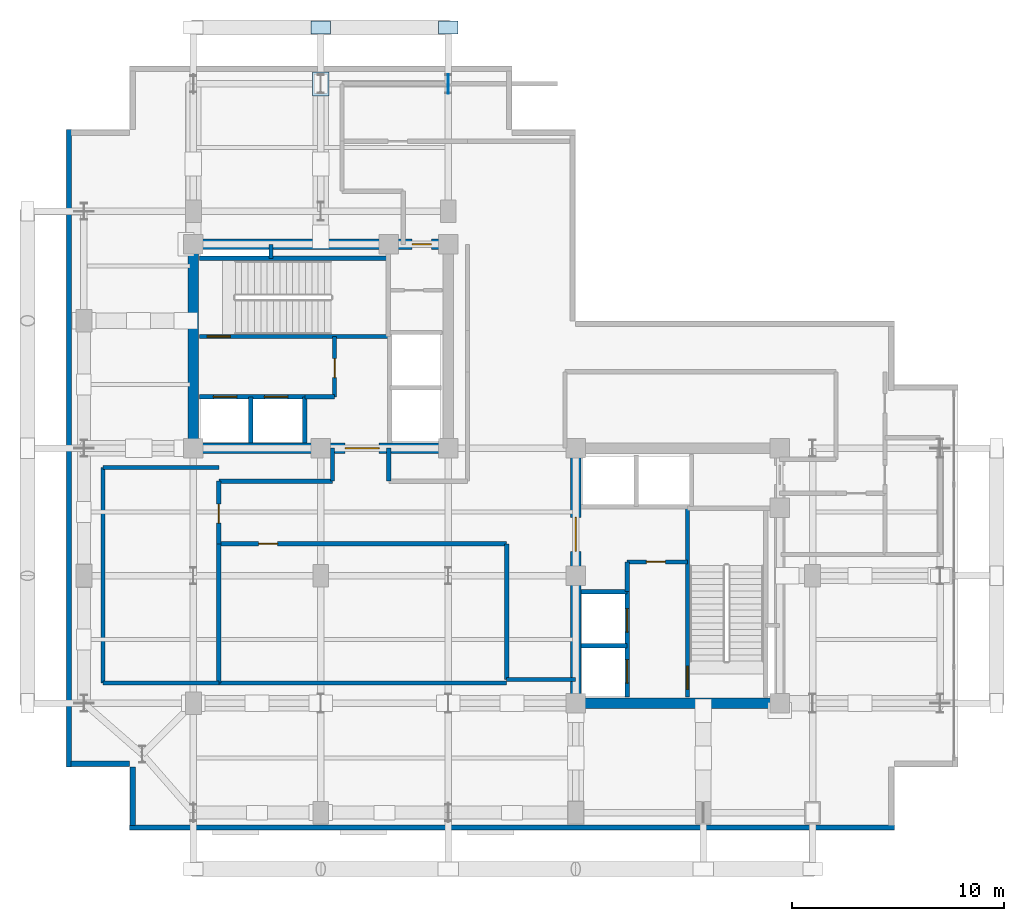
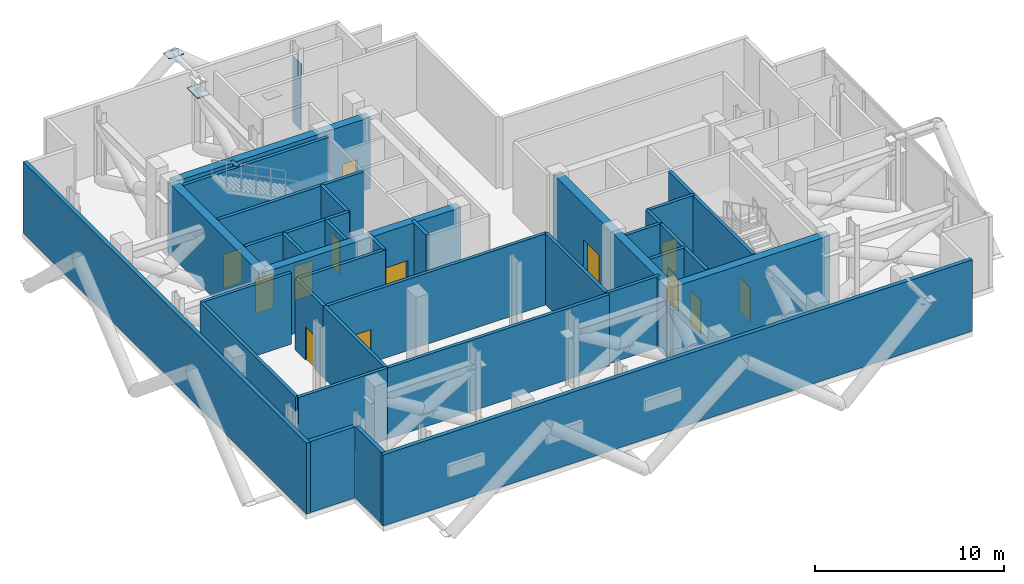
# One storey, part 5 of 8: 35 walls, 13 doors, 4 plates, 13 openings.
"""IFC4 building model written with IfcOpenShell, lengths in metres."""

from ifc_helpers import new_model, si_unit, direction, frame, frame_2d, origin, origin_2d, place, context, subcontext, project, spatial, rectangle, extrude, material, layer, layer_set, type_object, element, fill, save


model = new_model("IFC4")

# Units and contexts
model_context = context("Model", 3, precision=1e-05, world=origin(), true_north=direction((0.0, 1.0)))
body_context = subcontext(model_context, "Body", "Model", "MODEL_VIEW")
ifc_project = project(units=[si_unit("LENGTHUNIT", "METRE"), si_unit("AREAUNIT", "SQUARE_METRE"), si_unit("VOLUMEUNIT", "CUBIC_METRE"), si_unit("PLANEANGLEUNIT", "RADIAN"), si_unit("MASSUNIT", "GRAM", prefix="KILO"), si_unit("THERMODYNAMICTEMPERATUREUNIT", "KELVIN"), si_unit("POWERUNIT", "WATT")], contexts=[model_context])

# Site, building, storey
site_placement = place(None, origin())
site = spatial("IfcSite", under=ifc_project, at=site_placement, CompositionType="ELEMENT")
building_placement = place(site_placement, origin())
building = spatial("IfcBuilding", under=site, at=building_placement, Name="Svarakhadi Broadcast Tower", CompositionType="ELEMENT")
storey_placement = place(building_placement, frame((0.0, 0.0, 234.89990234375)))
storey = spatial("IfcBuildingStorey", under=building, at=storey_placement, Name="L58", CompositionType="ELEMENT", Elevation=234.89990234375)

# Plates
ifc_material_1 = material(Name="Steel S460ML (IS 2062 E450BR)", Category="steel")
ifc_layer_1 = layer(ifc_material_1, 0.02587890625)
ifc_layer_set_1 = layer_set([ifc_layer_1], Name="Steel S460ML (IS 2062 E450BR)")
plate_type_1 = type_object("IfcPlateType", Name="Node_Gusset_N07", PredefinedType="SHEET", material=ifc_layer_set_1)
plate_1_placement = place(storey_placement, frame((18.0, 37.800048828125, -0.324951171875), z_axis=(0.0, 0.0, 1.0), x_axis=(1.0, 0.0, 0.0)))
element("IfcPlate", 1, at=plate_1_placement, inside=storey, type_object=plate_type_1, Name="L58 Exoskeleton Gusset Node Plate N10", PredefinedType="SHEET", context=body_context, shape_type="SweptSolid", body=[
    extrude(rectangle(XDim=0.919921875, YDim=0.6201171875, at=origin_2d()), origin(), (0.0, 0.0, 1.0), 0.02587890625),
])
plate_2_placement = place(storey_placement, frame((18.0, 35.14990234375, -0.68701171875), z_axis=(0.0, 0.0, 1.0), x_axis=(0.0, 1.0, 0.0)))
element("IfcPlate", 2, at=plate_2_placement, inside=storey, type_object=plate_type_1, Name="L58 Brace End Connection Gusset Plate N-07-E0482", PredefinedType="SHEET", context=body_context, shape_type="SweptSolid", body=[
    extrude(rectangle(XDim=0.919921875, YDim=0.02587890625, at=origin_2d()), origin(), (0.0, 0.0, 1.0), 4.300048828125),
])
plate_3_placement = place(storey_placement, frame((12.0, 37.800048828125, 4.45068359375), z_axis=(0.0, 0.0, 1.0), x_axis=(1.0, 0.0, 0.0)))
element("IfcPlate", 3, at=plate_3_placement, inside=storey, type_object=plate_type_1, Name="L58 Brace End Connection Gusset Plate N-07-E0483", PredefinedType="SHEET", context=body_context, shape_type="SweptSolid", body=[
    extrude(rectangle(XDim=0.919921875, YDim=0.6201171875, at=origin_2d()), origin(), (0.0, 0.0, 1.0), 0.02587890625),
])
ifc_layer_2 = layer(ifc_material_1, 0.034912109375)
ifc_layer_set_2 = layer_set([ifc_layer_2], Name="Steel S460ML (IS 2062 E450BR)")
plate_type_2 = type_object("IfcPlateType", Name="Outrigger_Node_ON03", PredefinedType="SHEET", material=ifc_layer_set_2)
plate_4_placement = place(storey_placement, frame((12.0, 35.14990234375, 3.6328125), z_axis=(0.0, 0.0, 1.0), x_axis=(0.0, 1.0, 0.0)))
element("IfcPlate", 4, at=plate_4_placement, inside=storey, type_object=plate_type_2, Name="L58 Brace End Connection Gusset Plate ON-03-E0688", PredefinedType="SHEET", context=body_context, shape_type="SweptSolid", body=[
    extrude(rectangle(XDim=1.1201171875, YDim=0.760009765625, at=origin_2d()), origin(), (0.0, 0.0, 1.0), 0.034912109375),
])

# Walls
ifc_material_2 = material(Name="Concrete C40/50 (IS 456 M50)", Category="concrete")
ifc_layer_3 = layer(ifc_material_2, 0.239990234375)
ifc_layer_set_3 = layer_set([ifc_layer_3], Name="Concrete C40/50 (IS 456 M50)")
wall_type_1 = type_object("IfcWallType", Name="Wall_Ext_240", PredefinedType="SOLIDWALL", material=ifc_layer_set_3)
wall_1_placement = place(storey_placement, frame((39.0, 0.14990234375, 0.0), z_axis=(0.0, 0.0, 1.0), x_axis=(-1.0, 0.0, 0.0)))
element("IfcWall", 5, at=wall_1_placement, inside=storey, type_object=wall_type_1, Name="L58 South Mechanical Acoustic Louvred Plant Wall", PredefinedType="SOLIDWALL", context=body_context, shape_type="SweptSolid", body=[
    extrude(rectangle(XDim=36.0, YDim=0.239990234375, at=frame_2d((18.0, 0.0))), origin(), (0.0, 0.0, 1.0), 4.60009765625),
])
wall_2_placement = place(storey_placement, frame((0.14990234375, 3.0, 0.0), z_axis=(0.0, 0.0, 1.0), x_axis=(0.0, 1.0, 0.0)))
element("IfcWall", 6, at=wall_2_placement, inside=storey, type_object=wall_type_1, Name="L58 West Mechanical Acoustic Louvred Plant Wall", PredefinedType="SOLIDWALL", context=body_context, shape_type="SweptSolid", body=[
    extrude(rectangle(XDim=30.0, YDim=0.239990234375, at=frame_2d((15.0, 0.0))), origin(), (0.0, 0.0, 1.0), 4.60009765625),
])
for number, where, z_axis, x_axis, name in (
    (7, (3.0, 3.14990234375, 0.0), (0.0, 0.0, 1.0), (-1.0, 0.0, 0.0), "L58 Perimeter Bronze Spandrel Closure Wall 01"),
    (8, (3.14990234375, 0.2548828125, 0.0), (0.0, 0.0, 1.0), (0.0, 1.0, 0.0), "L58 Perimeter Bronze Spandrel Closure Wall 13"),
):
    element("IfcWall", number, at=place(storey_placement, frame(where, z_axis=z_axis, x_axis=x_axis)), inside=storey, type_object=wall_type_1, Name=name, PredefinedType="SOLIDWALL", context=body_context, shape_type="SweptSolid", body=[
        extrude(rectangle(XDim=2.7451171875, YDim=0.239990234375, at=frame_2d((1.37255859375, 0.0))), origin(), (0.0, 0.0, 1.0), 4.60009765625),
    ])
ifc_layer_4 = layer(ifc_material_2, 0.199951171875)
ifc_layer_set_4 = layer_set([ifc_layer_4], Name="Concrete C40/50 (IS 456 M50)")
wall_type_2 = type_object("IfcWallType", Name="Wall_Fire_200", PredefinedType="SOLIDWALL", material=ifc_layer_set_4)
wall_3_placement = place(storey_placement, frame((9.659912109375, 26.93994140625, 0.0), z_axis=(0.0, 0.0, 1.0), x_axis=(0.0, 1.0, 0.0)))
element("IfcWall", 9, at=wall_3_placement, inside=storey, type_object=wall_type_2, Name="L58 Wet Riser Shaft East Wall", PredefinedType="SOLIDWALL", context=body_context, shape_type="SweptSolid", body=[
    extrude(rectangle(XDim=0.64013671875, YDim=0.199951171875, at=frame_2d((0.320068359375, 0.0))), origin(), (0.0, 0.0, 1.0), 4.60009765625),
])

# Wall, opening, door
wall_4_placement = place(storey_placement, frame((20.75, 13.5, 0.0), z_axis=(0.0, 0.0, 1.0), x_axis=(-1.0, 0.0, 0.0)))
wall_4 = element("IfcWall", 10, at=wall_4_placement, inside=storey, type_object=wall_type_2, Name="L58 Plant Service Corridor Wall", PredefinedType="SOLIDWALL", context=body_context, shape_type="SweptSolid", body=[
    extrude(rectangle(XDim=13.550048828125, YDim=0.199951171875, at=frame_2d((6.77490234375, 0.0))), origin(), (0.0, 0.0, 1.0), 4.60009765625),
])
opening_1_placement = place(wall_4_placement, frame((10.77490234375, 0.0, 0.0)))
opening_1 = element("IfcOpeningElement", 11, at=opening_1_placement, cuts=wall_4, Name="Opening D-03", PredefinedType="OPENING", context=body_context, shape_type="SweptSolid", body=[
    extrude(rectangle(XDim=0.89990234375, YDim=2.14990234375, at=frame_2d((0.449951171875, 1.074951171875))), frame((0.0, 0.10986328125, 0.0), z_axis=(0.0, -1.0, 0.0), x_axis=(1.0, 0.0, 0.0)), (0.0, 0.0, 1.0), 0.219970703125),
])
ifc_material_3 = material(Name="Galvanised Powder-Coated Fire-Rated Steel Leaf", Category="steel")
door_type_1 = type_object("IfcDoorType", Name="Door_Fire_D03", OperationType="SINGLE_SWING_LEFT", PredefinedType="DOOR", material=ifc_material_3)
door_1_placement = place(opening_1_placement, origin())
door_1 = element("IfcDoor", 12, at=door_1_placement, inside=storey, type_object=door_type_1, Name="L58 Pressurised Fire Refuge Area West Door", OperationType="SINGLE_SWING_LEFT", OverallHeight=2.14990234375, OverallWidth=0.89990234375, PredefinedType="DOOR", context=body_context, shape_type="SweptSolid", body=[
    extrude(rectangle(XDim=0.89990234375, YDim=2.14990234375, at=frame_2d((0.449951171875, 1.074951171875))), frame((0.0, 0.02490234375, 0.0), z_axis=(0.0, -1.0, 0.0), x_axis=(1.0, 0.0, 0.0)), (0.0, 0.0, 1.0), 0.050048828125),
])
fill(opening_1, door_1)

wall_5_placement = place(storey_placement, frame((7.199951171875, 13.5, 0.0), z_axis=(0.0, 0.0, 1.0), x_axis=(0.0, 1.0, 0.0)))
wall_5 = element("IfcWall", 13, at=wall_5_placement, inside=storey, type_object=wall_type_2, Name="L58 Plant Service Corridor Wall", PredefinedType="SOLIDWALL", context=body_context, shape_type="SweptSolid", body=[
    extrude(rectangle(XDim=2.949951171875, YDim=0.199951171875, at=frame_2d((1.47509765625, 0.0))), origin(), (0.0, 0.0, 1.0), 4.60009765625),
])
opening_2_placement = place(wall_5_placement, frame((0.97509765625, 0.0, 0.0)))
opening_2 = element("IfcOpeningElement", 14, at=opening_2_placement, cuts=wall_5, Name="Opening D-04", PredefinedType="OPENING", context=body_context, shape_type="SweptSolid", body=[
    extrude(rectangle(XDim=0.89990234375, YDim=2.14990234375, at=frame_2d((0.449951171875, 1.074951171875))), frame((0.0, 0.10986328125, 0.0), z_axis=(0.0, -1.0, 0.0), x_axis=(1.0, 0.0, 0.0)), (0.0, 0.0, 1.0), 0.219970703125),
])
door_type_2 = type_object("IfcDoorType", Name="Door_Fire_D04", OperationType="SINGLE_SWING_RIGHT", PredefinedType="DOOR", material=ifc_material_3)
door_2_placement = place(opening_2_placement, origin())
door_2 = element("IfcDoor", 15, at=door_2_placement, inside=storey, type_object=door_type_2, Name="L58 Pressurised Fire Refuge Area South-West Door", OperationType="SINGLE_SWING_RIGHT", OverallHeight=2.14990234375, OverallWidth=0.89990234375, PredefinedType="DOOR", context=body_context, shape_type="SweptSolid", body=[
    extrude(rectangle(XDim=0.89990234375, YDim=2.14990234375, at=frame_2d((0.449951171875, 1.074951171875))), frame((0.0, 0.02490234375, 0.0), z_axis=(0.0, -1.0, 0.0), x_axis=(1.0, 0.0, 0.0)), (0.0, 0.0, 1.0), 0.050048828125),
])
fill(opening_2, door_2)

# Walls
wall_6_placement = place(storey_placement, frame((7.199951171875, 16.449951171875, 0.0), z_axis=(0.0, 0.0, 1.0), x_axis=(1.0, 0.0, 0.0)))
element("IfcWall", 16, at=wall_6_placement, inside=storey, type_object=wall_type_2, Name="L58 Plant Service Corridor Wall", PredefinedType="SOLIDWALL", context=body_context, shape_type="SweptSolid", body=[
    extrude(rectangle(XDim=5.35009765625, YDim=0.199951171875, at=frame_2d((2.675048828125, 0.0))), origin(), (0.0, 0.0, 1.0), 4.60009765625),
])
for number, where, z_axis, x_axis, name in (
    (17, (12.550048828125, 16.449951171875, 0.0), (0.0, 0.0, 1.0), (0.0, 1.0, 0.0), "L58 Plant Service Corridor Wall"),
    (18, (15.199951171875, 18.02001953125, 0.0), (0.0, 0.0, 1.0), (0.0, -1.0, 0.0), "L58 Plant Service Corridor Wall"),
):
    element("IfcWall", number, at=place(storey_placement, frame(where, z_axis=z_axis, x_axis=x_axis)), inside=storey, type_object=wall_type_2, Name=name, PredefinedType="SOLIDWALL", context=body_context, shape_type="SweptSolid", body=[
        extrude(rectangle(XDim=1.570068359375, YDim=0.199951171875, at=frame_2d((0.78515625, 0.0))), origin(), (0.0, 0.0, 1.0), 4.60009765625),
    ])
wall_7_placement = place(storey_placement, frame((23.97998046875, 7.1201171875, 0.0), z_axis=(0.0, 0.0, 1.0), x_axis=(-1.0, 0.0, 0.0)))
element("IfcWall", 19, at=wall_7_placement, inside=storey, type_object=wall_type_2, Name="L58 Plant Service Corridor Wall", PredefinedType="SOLIDWALL", context=body_context, shape_type="SweptSolid", body=[
    extrude(rectangle(XDim=3.22998046875, YDim=0.199951171875, at=frame_2d((1.614990234375, 0.0))), origin(), (0.0, 0.0, 1.0), 4.60009765625),
])
wall_8_placement = place(storey_placement, frame((20.75, 7.1201171875, 0.0), z_axis=(0.0, 0.0, 1.0), x_axis=(0.0, 1.0, 0.0)))
element("IfcWall", 20, at=wall_8_placement, inside=storey, type_object=wall_type_2, Name="L58 Plant Service Corridor Wall", PredefinedType="SOLIDWALL", context=body_context, shape_type="SweptSolid", body=[
    extrude(rectangle(XDim=6.3798828125, YDim=0.199951171875, at=frame_2d((3.18994140625, 0.0))), origin(), (0.0, 0.0, 1.0), 4.60009765625),
])
wall_9_placement = place(storey_placement, frame((7.199951171875, 6.949951171875, 0.0), z_axis=(0.0, 0.0, 1.0), x_axis=(1.0, 0.0, 0.0)))
element("IfcWall", 21, at=wall_9_placement, inside=storey, type_object=wall_type_2, Name="L58 Pressurised Fire Refuge Area West Wall", PredefinedType="SOLIDWALL", context=body_context, shape_type="SweptSolid", body=[
    extrude(rectangle(XDim=13.550048828125, YDim=0.199951171875, at=frame_2d((6.77490234375, 0.0))), origin(), (0.0, 0.0, 1.0), 4.60009765625),
])
wall_10_placement = place(storey_placement, frame((7.199951171875, 6.949951171875, 0.0), z_axis=(0.0, 0.0, 1.0), x_axis=(0.0, 1.0, 0.0)))
element("IfcWall", 22, at=wall_10_placement, inside=storey, type_object=wall_type_2, Name="L58 Pressurised Fire Refuge Area West Wall", PredefinedType="SOLIDWALL", context=body_context, shape_type="SweptSolid", body=[
    extrude(rectangle(XDim=6.550048828125, YDim=0.199951171875, at=frame_2d((3.27490234375, 0.0))), origin(), (0.0, 0.0, 1.0), 4.60009765625),
])
for number, where, z_axis, x_axis, name in (
    (23, (1.75, 6.949951171875, 0.0), (0.0, 0.0, 1.0), (1.0, 0.0, 0.0), "L58 Pressurised Fire Refuge Area South-West Wall"),
    (24, (1.75, 17.10009765625, 0.0), (0.0, 0.0, 1.0), (1.0, 0.0, 0.0), "L58 Pressurised Fire Refuge Area South-West Wall"),
):
    element("IfcWall", number, at=place(storey_placement, frame(where, z_axis=z_axis, x_axis=x_axis)), inside=storey, type_object=wall_type_2, Name=name, PredefinedType="SOLIDWALL", context=body_context, shape_type="SweptSolid", body=[
        extrude(rectangle(XDim=5.449951171875, YDim=0.199951171875, at=frame_2d((2.72509765625, 0.0))), origin(), (0.0, 0.0, 1.0), 4.60009765625),
    ])
wall_11_placement = place(storey_placement, frame((1.75, 6.949951171875, 0.0), z_axis=(0.0, 0.0, 1.0), x_axis=(0.0, 1.0, 0.0)))
element("IfcWall", 25, at=wall_11_placement, inside=storey, type_object=wall_type_2, Name="L58 Pressurised Fire Refuge Area South-West Wall", PredefinedType="SOLIDWALL", context=body_context, shape_type="SweptSolid", body=[
    extrude(rectangle(XDim=10.150146484375, YDim=0.199951171875, at=frame_2d((5.0751953125, 0.0))), origin(), (0.0, 0.0, 1.0), 4.60009765625),
])

# Wall, opening, door
ifc_material_4 = material(Name="Concrete C50/60 (IS 456 M60)", Category="concrete")
ifc_layer_5 = layer(ifc_material_4, 0.199951171875)
ifc_layer_set_5 = layer_set([ifc_layer_5], Name="Concrete C50/60 (IS 456 M60)")
wall_type_3 = type_object("IfcWallType", Name="Wall_Shear_200", PredefinedType="SHEAR", material=ifc_layer_set_5)
wall_12_placement = place(storey_placement, frame((6.300048828125, 23.260009765625, 0.0), z_axis=(0.0, 0.0, 1.0), x_axis=(1.0, 0.0, 0.0)))
wall_12 = element("IfcWall", 26, at=wall_12_placement, inside=storey, type_object=wall_type_3, Name="L58 Stair ST-01 South RC Shaft Wall", PredefinedType="SHEAR", context=body_context, shape_type="SweptSolid", body=[
    extrude(rectangle(XDim=8.8798828125, YDim=0.199951171875, at=frame_2d((4.43994140625, 0.0))), origin(), (0.0, 0.0, 1.0), 4.60009765625),
])
opening_3_placement = place(wall_12_placement, frame((0.35009765625, 0.0, 0.0)))
opening_3 = element("IfcOpeningElement", 27, at=opening_3_placement, cuts=wall_12, Name="Opening D-01", PredefinedType="OPENING", context=body_context, shape_type="SweptSolid", body=[
    extrude(rectangle(XDim=1.10009765625, YDim=2.199951171875, at=frame_2d((0.550048828125, 1.10009765625))), frame((0.0, 0.10986328125, 0.0), z_axis=(0.0, -1.0, 0.0), x_axis=(1.0, 0.0, 0.0)), (0.0, 0.0, 1.0), 0.219970703125),
])
door_type_3 = type_object("IfcDoorType", Name="Door_Stair_D01", OperationType="SINGLE_SWING_LEFT", PredefinedType="DOOR", material=ifc_material_3)
door_3_placement = place(opening_3_placement, origin())
door_3 = element("IfcDoor", 28, at=door_3_placement, inside=storey, type_object=door_type_3, Name="L58 Protected Exit Stair ST-01 Fire Door", OperationType="SINGLE_SWING_LEFT", OverallHeight=2.199951171875, OverallWidth=1.10009765625, PredefinedType="DOOR", context=body_context, shape_type="SweptSolid", body=[
    extrude(rectangle(XDim=1.10009765625, YDim=2.199951171875, at=frame_2d((0.550048828125, 1.10009765625))), frame((0.0, 0.02490234375, 0.0), z_axis=(0.0, -1.0, 0.0), x_axis=(1.0, 0.0, 0.0)), (0.0, 0.0, 1.0), 0.050048828125),
])
fill(opening_3, door_3)

# Wall
wall_13_placement = place(storey_placement, frame((6.300048828125, 26.93994140625, 0.0), z_axis=(0.0, 0.0, 1.0), x_axis=(1.0, 0.0, 0.0)))
element("IfcWall", 29, at=wall_13_placement, inside=storey, type_object=wall_type_3, Name="L58 Stair ST-01 North RC Shaft Wall", PredefinedType="SHEAR", context=body_context, shape_type="SweptSolid", body=[
    extrude(rectangle(XDim=8.8798828125, YDim=0.199951171875, at=frame_2d((4.43994140625, 0.0))), origin(), (0.0, 0.0, 1.0), 4.60009765625),
])

# Wall, opening, door
wall_14_placement = place(storey_placement, frame((29.260009765625, 6.300048828125, 0.0), z_axis=(0.0, 0.0, 1.0), x_axis=(0.0, 1.0, 0.0)))
wall_14 = element("IfcWall", 30, at=wall_14_placement, inside=storey, type_object=wall_type_3, Name="L58 Stair ST-02 West RC Shaft Wall", PredefinedType="SHEAR", context=body_context, shape_type="SweptSolid", body=[
    extrude(rectangle(XDim=8.8798828125, YDim=0.199951171875, at=frame_2d((4.43994140625, 0.0))), origin(), (0.0, 0.0, 1.0), 4.60009765625),
])
opening_4_placement = place(wall_14_placement, frame((0.35009765625, 0.0, 0.0)))
opening_4 = element("IfcOpeningElement", 31, at=opening_4_placement, cuts=wall_14, Name="Opening D-02", PredefinedType="OPENING", context=body_context, shape_type="SweptSolid", body=[
    extrude(rectangle(XDim=1.10009765625, YDim=2.199951171875, at=frame_2d((0.550048828125, 1.10009765625))), frame((0.0, 0.10986328125, 0.0), z_axis=(0.0, -1.0, 0.0), x_axis=(1.0, 0.0, 0.0)), (0.0, 0.0, 1.0), 0.219970703125),
])
door_type_4 = type_object("IfcDoorType", Name="Door_Stair_D02", OperationType="SINGLE_SWING_RIGHT", PredefinedType="DOOR", material=ifc_material_3)
door_4_placement = place(opening_4_placement, origin())
door_4 = element("IfcDoor", 32, at=door_4_placement, inside=storey, type_object=door_type_4, Name="L58 Protected Exit Stair ST-02 Fire Door", OperationType="SINGLE_SWING_RIGHT", OverallHeight=2.199951171875, OverallWidth=1.10009765625, PredefinedType="DOOR", context=body_context, shape_type="SweptSolid", body=[
    extrude(rectangle(XDim=1.10009765625, YDim=2.199951171875, at=frame_2d((0.550048828125, 1.10009765625))), frame((0.0, 0.02490234375, 0.0), z_axis=(0.0, -1.0, 0.0), x_axis=(1.0, 0.0, 0.0)), (0.0, 0.0, 1.0), 0.050048828125),
])
fill(opening_4, door_4)

# Wall, openings, doors
wall_15_placement = place(storey_placement, frame((6.300048828125, 20.419921875, 0.0), z_axis=(0.0, 0.0, 1.0), x_axis=(1.0, 0.0, 0.0)))
wall_15 = element("IfcWall", 33, at=wall_15_placement, inside=storey, type_object=wall_type_3, Name="L58 Firefighting Lift LF-01/02 Shaft Wall", PredefinedType="SHEAR", context=body_context, shape_type="SweptSolid", body=[
    extrude(rectangle(XDim=4.949951171875, YDim=0.199951171875, at=frame_2d((2.47509765625, 0.0))), origin(), (0.0, 0.0, 1.0), 4.60009765625),
])
opening_5_placement = place(wall_15_placement, frame((0.64990234375, 0.0, 0.0)))
opening_5 = element("IfcOpeningElement", 34, at=opening_5_placement, cuts=wall_15, Name="Opening LD-01", PredefinedType="OPENING", context=body_context, shape_type="SweptSolid", body=[
    extrude(rectangle(XDim=1.10009765625, YDim=2.199951171875, at=frame_2d((0.550048828125, 1.10009765625))), frame((0.0, 0.10986328125, 0.0), z_axis=(0.0, -1.0, 0.0), x_axis=(1.0, 0.0, 0.0)), (0.0, 0.0, 1.0), 0.219970703125),
])
opening_6_placement = place(wall_15_placement, frame((3.050048828125, 0.0, 0.0)))
opening_6 = element("IfcOpeningElement", 35, at=opening_6_placement, cuts=wall_15, Name="Opening LD-01", PredefinedType="OPENING", context=body_context, shape_type="SweptSolid", body=[
    extrude(rectangle(XDim=1.10009765625, YDim=2.199951171875, at=frame_2d((0.550048828125, 1.10009765625))), frame((0.0, 0.10986328125, 0.0), z_axis=(0.0, -1.0, 0.0), x_axis=(1.0, 0.0, 0.0)), (0.0, 0.0, 1.0), 0.219970703125),
])
door_type_5 = type_object("IfcDoorType", Name="Door_Lift_LD01", OperationType="SLIDING_TO_LEFT", PredefinedType="DOOR", material=ifc_material_3)
door_5_placement = place(opening_5_placement, origin())
door_5 = element("IfcDoor", 36, at=door_5_placement, inside=storey, type_object=door_type_5, Name="L58 Firefighting Lift LF-01 Landing Door", OperationType="SLIDING_TO_LEFT", OverallHeight=2.199951171875, OverallWidth=1.10009765625, PredefinedType="DOOR", context=body_context, shape_type="SweptSolid", body=[
    extrude(rectangle(XDim=1.10009765625, YDim=2.199951171875, at=frame_2d((0.550048828125, 1.10009765625))), frame((0.0, 0.02490234375, 0.0), z_axis=(0.0, -1.0, 0.0), x_axis=(1.0, 0.0, 0.0)), (0.0, 0.0, 1.0), 0.050048828125),
])
fill(opening_5, door_5)
door_6_placement = place(opening_6_placement, origin())
door_6 = element("IfcDoor", 37, at=door_6_placement, inside=storey, type_object=door_type_5, Name="L58 Firefighting Lift LF-02 Landing Door", OperationType="SLIDING_TO_LEFT", OverallHeight=2.199951171875, OverallWidth=1.10009765625, PredefinedType="DOOR", context=body_context, shape_type="SweptSolid", body=[
    extrude(rectangle(XDim=1.10009765625, YDim=2.199951171875, at=frame_2d((0.550048828125, 1.10009765625))), frame((0.0, 0.02490234375, 0.0), z_axis=(0.0, -1.0, 0.0), x_axis=(1.0, 0.0, 0.0)), (0.0, 0.0, 1.0), 0.050048828125),
])
fill(opening_6, door_6)

# Walls
for number, where, z_axis, x_axis, name in (
    (38, (8.699951171875, 18.25, 0.0), (0.0, 0.0, 1.0), (0.0, 1.0, 0.0), "L58 Firefighting Lift LF-01/02 Divider Wall"),
    (39, (11.25, 18.25, 0.0), (0.0, 0.0, 1.0), (0.0, 1.0, 0.0), "L58 Firefighting Lift LF-02 East Wall"),
):
    element("IfcWall", number, at=place(storey_placement, frame(where, z_axis=z_axis, x_axis=x_axis)), inside=storey, type_object=wall_type_3, Name=name, PredefinedType="SHEAR", context=body_context, shape_type="SweptSolid", body=[
        extrude(rectangle(XDim=2.169921875, YDim=0.199951171875, at=frame_2d((1.0849609375, 0.0))), origin(), (0.0, 0.0, 1.0), 4.60009765625),
    ])
wall_16_placement = place(storey_placement, frame((11.25, 20.419921875, 0.0), z_axis=(0.0, 0.0, 1.0), x_axis=(1.0, 0.0, 0.0)))
element("IfcWall", 40, at=wall_16_placement, inside=storey, type_object=wall_type_3, Name="L58 West Firefighting Lobby South Wall", PredefinedType="SHEAR", context=body_context, shape_type="SweptSolid", body=[
    extrude(rectangle(XDim=1.39990234375, YDim=0.199951171875, at=frame_2d((0.699951171875, 0.0))), origin(), (0.0, 0.0, 1.0), 4.60009765625),
])

# Wall, opening, door
wall_17_placement = place(storey_placement, frame((12.64990234375, 20.419921875, 0.0), z_axis=(0.0, 0.0, 1.0), x_axis=(0.0, 1.0, 0.0)))
wall_17 = element("IfcWall", 41, at=wall_17_placement, inside=storey, type_object=wall_type_3, Name="L58 West Firefighting Lobby East Wall", PredefinedType="SHEAR", context=body_context, shape_type="SweptSolid", body=[
    extrude(rectangle(XDim=2.840087890625, YDim=0.199951171875, at=frame_2d((1.419921875, 0.0))), origin(), (0.0, 0.0, 1.0), 4.60009765625),
])
opening_7_placement = place(wall_17_placement, frame((0.89990234375, 0.0, 0.0)))
opening_7 = element("IfcOpeningElement", 42, at=opening_7_placement, cuts=wall_17, Name="Opening D-04", PredefinedType="OPENING", context=body_context, shape_type="SweptSolid", body=[
    extrude(rectangle(XDim=0.89990234375, YDim=2.14990234375, at=frame_2d((0.449951171875, 1.074951171875))), frame((0.0, 0.10986328125, 0.0), z_axis=(0.0, -1.0, 0.0), x_axis=(1.0, 0.0, 0.0)), (0.0, 0.0, 1.0), 0.219970703125),
])
door_7_placement = place(opening_7_placement, origin())
door_7 = element("IfcDoor", 43, at=door_7_placement, inside=storey, type_object=door_type_2, Name="L58 West Firefighting Lobby Fire Door", OperationType="SINGLE_SWING_RIGHT", OverallHeight=2.14990234375, OverallWidth=0.89990234375, PredefinedType="DOOR", context=body_context, shape_type="SweptSolid", body=[
    extrude(rectangle(XDim=0.89990234375, YDim=2.14990234375, at=frame_2d((0.449951171875, 1.074951171875))), frame((0.0, 0.02490234375, 0.0), z_axis=(0.0, -1.0, 0.0), x_axis=(1.0, 0.0, 0.0)), (0.0, 0.0, 1.0), 0.050048828125),
])
fill(opening_7, door_7)

# Wall, openings, doors
wall_18_placement = place(storey_placement, frame((26.419921875, 6.300048828125, 0.0), z_axis=(0.0, 0.0, 1.0), x_axis=(0.0, 1.0, 0.0)))
wall_18 = element("IfcWall", 44, at=wall_18_placement, inside=storey, type_object=wall_type_3, Name="L58 Firefighting Lift LF-03/04 Shaft Wall", PredefinedType="SHEAR", context=body_context, shape_type="SweptSolid", body=[
    extrude(rectangle(XDim=4.949951171875, YDim=0.199951171875, at=frame_2d((2.47509765625, 0.0))), origin(), (0.0, 0.0, 1.0), 4.60009765625),
])
opening_8_placement = place(wall_18_placement, frame((0.64990234375, 0.0, 0.0)))
opening_8 = element("IfcOpeningElement", 45, at=opening_8_placement, cuts=wall_18, Name="Opening LD-01", PredefinedType="OPENING", context=body_context, shape_type="SweptSolid", body=[
    extrude(rectangle(XDim=1.10009765625, YDim=2.199951171875, at=frame_2d((0.550048828125, 1.10009765625))), frame((0.0, 0.10986328125, 0.0), z_axis=(0.0, -1.0, 0.0), x_axis=(1.0, 0.0, 0.0)), (0.0, 0.0, 1.0), 0.219970703125),
])
opening_9_placement = place(wall_18_placement, frame((3.050048828125, 0.0, 0.0)))
opening_9 = element("IfcOpeningElement", 46, at=opening_9_placement, cuts=wall_18, Name="Opening LD-01", PredefinedType="OPENING", context=body_context, shape_type="SweptSolid", body=[
    extrude(rectangle(XDim=1.10009765625, YDim=2.199951171875, at=frame_2d((0.550048828125, 1.10009765625))), frame((0.0, 0.10986328125, 0.0), z_axis=(0.0, -1.0, 0.0), x_axis=(1.0, 0.0, 0.0)), (0.0, 0.0, 1.0), 0.219970703125),
])
door_8_placement = place(opening_8_placement, origin())
door_8 = element("IfcDoor", 47, at=door_8_placement, inside=storey, type_object=door_type_5, Name="L58 Firefighting Lift LF-03 Landing Door", OperationType="SLIDING_TO_LEFT", OverallHeight=2.199951171875, OverallWidth=1.10009765625, PredefinedType="DOOR", context=body_context, shape_type="SweptSolid", body=[
    extrude(rectangle(XDim=1.10009765625, YDim=2.199951171875, at=frame_2d((0.550048828125, 1.10009765625))), frame((0.0, 0.02490234375, 0.0), z_axis=(0.0, -1.0, 0.0), x_axis=(1.0, 0.0, 0.0)), (0.0, 0.0, 1.0), 0.050048828125),
])
fill(opening_8, door_8)
door_9_placement = place(opening_9_placement, origin())
door_9 = element("IfcDoor", 48, at=door_9_placement, inside=storey, type_object=door_type_5, Name="L58 Firefighting Lift LF-04 Landing Door", OperationType="SLIDING_TO_LEFT", OverallHeight=2.199951171875, OverallWidth=1.10009765625, PredefinedType="DOOR", context=body_context, shape_type="SweptSolid", body=[
    extrude(rectangle(XDim=1.10009765625, YDim=2.199951171875, at=frame_2d((0.550048828125, 1.10009765625))), frame((0.0, 0.02490234375, 0.0), z_axis=(0.0, -1.0, 0.0), x_axis=(1.0, 0.0, 0.0)), (0.0, 0.0, 1.0), 0.050048828125),
])
fill(opening_9, door_9)

# Walls
for number, where, z_axis, x_axis, name in (
    (49, (24.25, 8.699951171875, 0.0), (0.0, 0.0, 1.0), (1.0, 0.0, 0.0), "L58 Firefighting Lift LF-03/04 Divider Wall"),
    (50, (24.25, 11.25, 0.0), (0.0, 0.0, 1.0), (1.0, 0.0, 0.0), "L58 Firefighting Lift LF-04 North Wall"),
):
    element("IfcWall", number, at=place(storey_placement, frame(where, z_axis=z_axis, x_axis=x_axis)), inside=storey, type_object=wall_type_3, Name=name, PredefinedType="SHEAR", context=body_context, shape_type="SweptSolid", body=[
        extrude(rectangle(XDim=2.169921875, YDim=0.199951171875, at=frame_2d((1.0849609375, 0.0))), origin(), (0.0, 0.0, 1.0), 4.60009765625),
    ])
wall_19_placement = place(storey_placement, frame((26.419921875, 11.25, 0.0), z_axis=(0.0, 0.0, 1.0), x_axis=(0.0, 1.0, 0.0)))
element("IfcWall", 51, at=wall_19_placement, inside=storey, type_object=wall_type_3, Name="L58 East Firefighting Lobby West Wall", PredefinedType="SHEAR", context=body_context, shape_type="SweptSolid", body=[
    extrude(rectangle(XDim=1.39990234375, YDim=0.199951171875, at=frame_2d((0.699951171875, 0.0))), origin(), (0.0, 0.0, 1.0), 4.60009765625),
])

# Wall, opening, door
wall_20_placement = place(storey_placement, frame((26.419921875, 12.64990234375, 0.0), z_axis=(0.0, 0.0, 1.0), x_axis=(1.0, 0.0, 0.0)))
wall_20 = element("IfcWall", 52, at=wall_20_placement, inside=storey, type_object=wall_type_3, Name="L58 East Firefighting Lobby North Wall", PredefinedType="SHEAR", context=body_context, shape_type="SweptSolid", body=[
    extrude(rectangle(XDim=2.840087890625, YDim=0.199951171875, at=frame_2d((1.419921875, 0.0))), origin(), (0.0, 0.0, 1.0), 4.60009765625),
])
opening_10_placement = place(wall_20_placement, frame((0.89990234375, 0.0, 0.0)))
opening_10 = element("IfcOpeningElement", 53, at=opening_10_placement, cuts=wall_20, Name="Opening D-03", PredefinedType="OPENING", context=body_context, shape_type="SweptSolid", body=[
    extrude(rectangle(XDim=0.89990234375, YDim=2.14990234375, at=frame_2d((0.449951171875, 1.074951171875))), frame((0.0, 0.10986328125, 0.0), z_axis=(0.0, -1.0, 0.0), x_axis=(1.0, 0.0, 0.0)), (0.0, 0.0, 1.0), 0.219970703125),
])
door_10_placement = place(opening_10_placement, origin())
door_10 = element("IfcDoor", 54, at=door_10_placement, inside=storey, type_object=door_type_1, Name="L58 East Firefighting Lobby Fire Door", OperationType="SINGLE_SWING_LEFT", OverallHeight=2.14990234375, OverallWidth=0.89990234375, PredefinedType="DOOR", context=body_context, shape_type="SweptSolid", body=[
    extrude(rectangle(XDim=0.89990234375, YDim=2.14990234375, at=frame_2d((0.449951171875, 1.074951171875))), frame((0.0, 0.02490234375, 0.0), z_axis=(0.0, -1.0, 0.0), x_axis=(1.0, 0.0, 0.0)), (0.0, 0.0, 1.0), 0.050048828125),
])
fill(opening_10, door_10)

ifc_layer_6 = layer(ifc_material_4, 0.5)
ifc_layer_set_6 = layer_set([ifc_layer_6], Name="Concrete C50/60 (IS 456 M60)")
wall_type_4 = type_object("IfcWallType", Name="Wall_Shear_500", PredefinedType="SHEAR", material=ifc_layer_set_6)
wall_21_placement = place(storey_placement, frame((6.0, 18.0, 0.0), z_axis=(0.0, 0.0, 1.0), x_axis=(1.0, 0.0, 0.0)))
wall_21 = element("IfcWall", 55, at=wall_21_placement, inside=storey, type_object=wall_type_4, Name="L58 West Core South Shear Wall", PredefinedType="SHEAR", context=body_context, shape_type="SweptSolid", body=[
    extrude(rectangle(XDim=12.0, YDim=0.5, at=frame_2d((6.0, 0.0))), origin(), (0.0, 0.0, 1.0), 4.60009765625),
])
opening_11_placement = place(wall_21_placement, frame((7.14990234375, 0.0, 0.0)))
opening_11 = element("IfcOpeningElement", 56, at=opening_11_placement, cuts=wall_21, Name="Opening D-05", PredefinedType="OPENING", context=body_context, shape_type="SweptSolid", body=[
    extrude(rectangle(XDim=1.60009765625, YDim=2.300048828125, at=frame_2d((0.800048828125, 1.14990234375))), frame((0.0, 0.260009765625, 0.0), z_axis=(0.0, -1.0, 0.0), x_axis=(1.0, 0.0, 0.0)), (0.0, 0.0, 1.0), 0.52001953125),
])
ifc_material_5 = material(Name="Anodised Bronze Aluminium AA 6063-T6", Category="aluminium")
door_type_6 = type_object("IfcDoorType", Name="Door_Lobby_D05", OperationType="DOUBLE_DOOR_SLIDING", PredefinedType="DOOR", material=ifc_material_5)
door_11_placement = place(opening_11_placement, origin())
door_11 = element("IfcDoor", 57, at=door_11_placement, inside=storey, type_object=door_type_6, Name="L58 West Core Passenger Lift Lobby Entrance Door", OperationType="DOUBLE_DOOR_SLIDING", OverallHeight=2.300048828125, OverallWidth=1.60009765625, PredefinedType="DOOR", context=body_context, shape_type="SweptSolid", body=[
    extrude(rectangle(XDim=1.60009765625, YDim=2.300048828125, at=frame_2d((0.800048828125, 1.14990234375))), frame((0.0, 0.02490234375, 0.0), z_axis=(0.0, -1.0, 0.0), x_axis=(1.0, 0.0, 0.0)), (0.0, 0.0, 1.0), 0.050048828125),
])
fill(opening_11, door_11)

wall_22_placement = place(storey_placement, frame((6.0, 27.60009765625, 0.0), z_axis=(0.0, 0.0, 1.0), x_axis=(1.0, 0.0, 0.0)))
wall_22 = element("IfcWall", 58, at=wall_22_placement, inside=storey, type_object=wall_type_4, Name="L58 West Core North Shear Wall", PredefinedType="SHEAR", context=body_context, shape_type="SweptSolid", body=[
    extrude(rectangle(XDim=12.0, YDim=0.5, at=frame_2d((6.0, 0.0))), origin(), (0.0, 0.0, 1.0), 4.60009765625),
])
opening_12_placement = place(wall_22_placement, frame((10.300048828125, 0.0, 0.0)))
opening_12 = element("IfcOpeningElement", 59, at=opening_12_placement, cuts=wall_22, Name="Opening D-03", PredefinedType="OPENING", context=body_context, shape_type="SweptSolid", body=[
    extrude(rectangle(XDim=0.89990234375, YDim=2.14990234375, at=frame_2d((0.449951171875, 1.074951171875))), frame((0.0, 0.260009765625, 0.0), z_axis=(0.0, -1.0, 0.0), x_axis=(1.0, 0.0, 0.0)), (0.0, 0.0, 1.0), 0.52001953125),
])
door_12_placement = place(opening_12_placement, origin())
door_12 = element("IfcDoor", 60, at=door_12_placement, inside=storey, type_object=door_type_1, Name="L58 West Core Outer Store Door", OperationType="SINGLE_SWING_LEFT", OverallHeight=2.14990234375, OverallWidth=0.89990234375, PredefinedType="DOOR", context=body_context, shape_type="SweptSolid", body=[
    extrude(rectangle(XDim=0.89990234375, YDim=2.14990234375, at=frame_2d((0.449951171875, 1.074951171875))), frame((0.0, 0.02490234375, 0.0), z_axis=(0.0, -1.0, 0.0), x_axis=(1.0, 0.0, 0.0)), (0.0, 0.0, 1.0), 0.050048828125),
])
fill(opening_12, door_12)

# Walls
for number, where, z_axis, x_axis, name in (
    (61, (6.0, 18.0, 0.0), (0.0, 0.0, 1.0), (0.0, 1.0, 0.0), "L58 West Core West Shear Wall"),
    (62, (24.0, 6.0, 0.0), (0.0, 0.0, 1.0), (1.0, 0.0, 0.0), "L58 East Core South Shear Wall"),
):
    element("IfcWall", number, at=place(storey_placement, frame(where, z_axis=z_axis, x_axis=x_axis)), inside=storey, type_object=wall_type_4, Name=name, PredefinedType="SHEAR", context=body_context, shape_type="SweptSolid", body=[
        extrude(rectangle(XDim=9.60009765625, YDim=0.5, at=frame_2d((4.800048828125, 0.0))), origin(), (0.0, 0.0, 1.0), 4.60009765625),
    ])

# Wall, opening, door
wall_23_placement = place(storey_placement, frame((24.0, 6.0, 0.0), z_axis=(0.0, 0.0, 1.0), x_axis=(0.0, 1.0, 0.0)))
wall_23 = element("IfcWall", 63, at=wall_23_placement, inside=storey, type_object=wall_type_4, Name="L58 East Core West Shear Wall", PredefinedType="SHEAR", context=body_context, shape_type="SweptSolid", body=[
    extrude(rectangle(XDim=12.0, YDim=0.5, at=frame_2d((6.0, 0.0))), origin(), (0.0, 0.0, 1.0), 4.60009765625),
])
opening_13_placement = place(wall_23_placement, frame((7.14990234375, 0.0, 0.0)))
opening_13 = element("IfcOpeningElement", 64, at=opening_13_placement, cuts=wall_23, Name="Opening D-05", PredefinedType="OPENING", context=body_context, shape_type="SweptSolid", body=[
    extrude(rectangle(XDim=1.60009765625, YDim=2.300048828125, at=frame_2d((0.800048828125, 1.14990234375))), frame((0.0, 0.260009765625, 0.0), z_axis=(0.0, -1.0, 0.0), x_axis=(1.0, 0.0, 0.0)), (0.0, 0.0, 1.0), 0.52001953125),
])
door_13_placement = place(opening_13_placement, origin())
door_13 = element("IfcDoor", 65, at=door_13_placement, inside=storey, type_object=door_type_6, Name="L58 East Core Passenger Lift Lobby Entrance Door", OperationType="DOUBLE_DOOR_SLIDING", OverallHeight=2.300048828125, OverallWidth=1.60009765625, PredefinedType="DOOR", context=body_context, shape_type="SweptSolid", body=[
    extrude(rectangle(XDim=1.60009765625, YDim=2.300048828125, at=frame_2d((0.800048828125, 1.14990234375))), frame((0.0, 0.02490234375, 0.0), z_axis=(0.0, -1.0, 0.0), x_axis=(1.0, 0.0, 0.0)), (0.0, 0.0, 1.0), 0.050048828125),
])
fill(opening_13, door_13)

save(model, "model.ifc")
